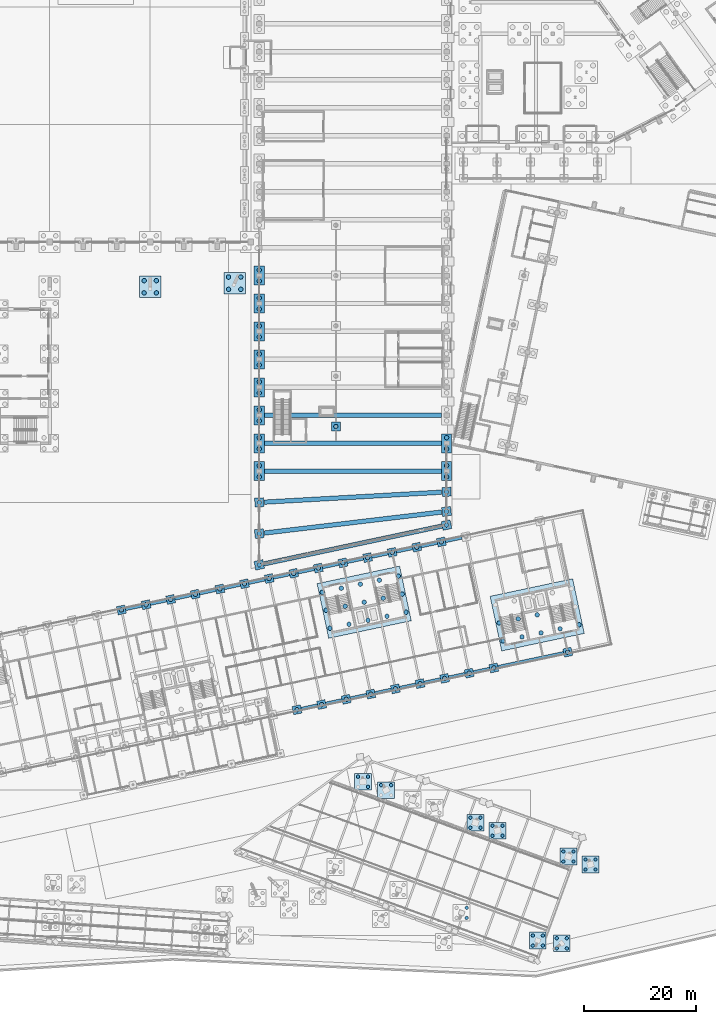
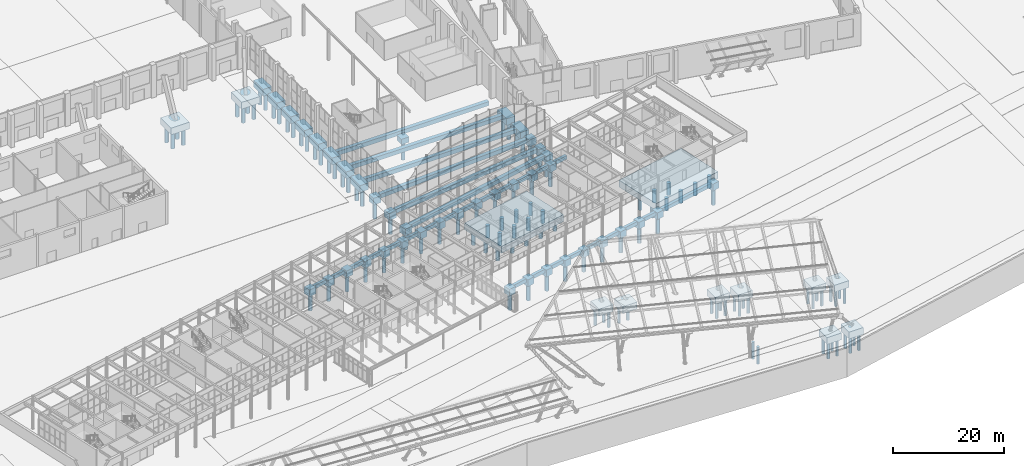
# One storey, part 4 of 239: 113 piles, 82 footings.
"""IFC4 building model written with IfcOpenShell, lengths in metres."""

from ifc_helpers import new_model, si_unit, direction, frame, origin, origin_2d, place, context, subcontext, project, spatial, rectangle, circle, extrude, material, material_profile, profile_set, type_object, element, save


model = new_model("IFC4")

# Units and contexts
model_context = context("Model", 3, precision=1e-05, world=origin(), true_north=direction((0.0, 1.0)))
body_context = subcontext(model_context, "Body", "Model", "MODEL_VIEW")
ifc_project = project(units=[si_unit("LENGTHUNIT", "METRE"), si_unit("AREAUNIT", "SQUARE_METRE"), si_unit("VOLUMEUNIT", "CUBIC_METRE"), si_unit("PLANEANGLEUNIT", "RADIAN"), si_unit("MASSUNIT", "GRAM", prefix="KILO")], contexts=[model_context])

# Site, building, storey
site_placement = place(None, origin())
site = spatial("IfcSite", under=ifc_project, at=site_placement, CompositionType="ELEMENT")
building_placement = place(site_placement, origin())
building = spatial("IfcBuilding", under=site, at=building_placement, Name="Okhra Congress Centre", CompositionType="ELEMENT")
storey_placement = place(building_placement, origin())
storey = spatial("IfcBuildingStorey", under=building, at=storey_placement, Name="L00", CompositionType="ELEMENT", Elevation=0.0)

# Piles
ifc_material_1 = material(Name="Concrete C30/37", Category="concrete")
ifc_material_profile_1 = material_profile(ifc_material_1, circle(Radius=0.300048828125, at=origin_2d()), Name="D600")
ifc_profile_set_1 = profile_set([ifc_material_profile_1], Name="Concrete C30/37")
pile_type_1 = type_object("IfcPileType", Name="Bored pile D600 C30/37", PredefinedType="BORED", material=ifc_profile_set_1)
for number, where, z_axis, x_axis, name in (
    (1, (192.593994140625, 11.1103515625, -1.800048828125), (0.0, 0.0, -1.0), (1.0, 0.0, 0.0), "ST.PILE.L00.shard-9-2"),
    (2, (192.593994140625, 12.910400390625, -1.800048828125), (0.0, 0.0, -1.0), (1.0, 0.0, 0.0), "ST.PILE.L00.shard-9-4"),
    (3, (204.419677734375, 6.151123046875, -1.800048828125), (0.0, 0.0, -1.0), (1.0, 0.0, 0.0), "ST.PILE.L00.shard-10-1"),
    (4, (206.219482421875, 6.151123046875, -1.800048828125), (0.0, 0.0, -1.0), (1.0, 0.0, 0.0), "ST.PILE.L00.shard-10-2"),
    (5, (204.419677734375, 7.950927734375, -1.800048828125), (0.0, 0.0, -1.0), (1.0, 0.0, 0.0), "ST.PILE.L00.shard-10-3"),
    (6, (206.219482421875, 7.950927734375, -1.800048828125), (0.0, 0.0, -1.0), (1.0, 0.0, 0.0), "ST.PILE.L00.shard-10-4"),
    (7, (208.708251953125, 5.654296875, -1.800048828125), (0.0, 0.0, -1.0), (1.0, 0.0, 0.0), "ST.PILE.L00.shard-11-1"),
    (8, (210.50830078125, 5.654296875, -1.800048828125), (0.0, 0.0, -1.0), (1.0, 0.0, 0.0), "ST.PILE.L00.shard-11-2"),
    (9, (208.708251953125, 7.454345703125, -1.800048828125), (0.0, 0.0, -1.0), (1.0, 0.0, 0.0), "ST.PILE.L00.shard-11-3"),
    (10, (210.50830078125, 7.454345703125, -1.800048828125), (0.0, 0.0, -1.0), (1.0, 0.0, 0.0), "ST.PILE.L00.shard-11-4"),
    (11, (174.949951171875, 34.55908203125, -1.800048828125), (0.0, 0.0, -1.0), (1.0, 0.0, 0.0), "ST.PILE.L00.shard-12-2"),
    (12, (173.14990234375, 36.359130859375, -1.800048828125), (0.0, 0.0, -1.0), (1.0, 0.0, 0.0), "ST.PILE.L00.shard-12-3"),
    (13, (174.949951171875, 36.359130859375, -1.800048828125), (0.0, 0.0, -1.0), (1.0, 0.0, 0.0), "ST.PILE.L00.shard-12-4"),
    (14, (177.28466796875, 34.854248046875, -1.800048828125), (0.0, 0.0, -1.0), (1.0, 0.0, 0.0), "ST.PILE.L00.shard-13-3"),
    (15, (179.08447265625, 34.854248046875, -1.800048828125), (0.0, 0.0, -1.0), (1.0, 0.0, 0.0), "ST.PILE.L00.shard-13-4"),
    (16, (193.25927734375, 27.239990234375, -1.800048828125), (0.0, 0.0, -1.0), (1.0, 0.0, 0.0), "ST.PILE.L00.shard-16-1"),
    (17, (195.059326171875, 27.239990234375, -1.800048828125), (0.0, 0.0, -1.0), (1.0, 0.0, 0.0), "ST.PILE.L00.shard-16-2"),
    (18, (193.25927734375, 29.039794921875, -1.800048828125), (0.0, 0.0, -1.0), (1.0, 0.0, 0.0), "ST.PILE.L00.shard-16-3"),
    (19, (195.059326171875, 29.039794921875, -1.800048828125), (0.0, 0.0, -1.0), (1.0, 0.0, 0.0), "ST.PILE.L00.shard-16-4"),
    (20, (197.2060546875, 25.803466796875, -1.800048828125), (0.0, 0.0, -1.0), (1.0, 0.0, 0.0), "ST.PILE.L00.shard-17-1"),
    (21, (199.006103515625, 25.803466796875, -1.800048828125), (0.0, 0.0, -1.0), (1.0, 0.0, 0.0), "ST.PILE.L00.shard-17-2"),
    (22, (197.2060546875, 27.603515625, -1.800048828125), (0.0, 0.0, -1.0), (1.0, 0.0, 0.0), "ST.PILE.L00.shard-17-3"),
    (23, (199.006103515625, 27.603515625, -1.800048828125), (0.0, 0.0, -1.0), (1.0, 0.0, 0.0), "ST.PILE.L00.shard-17-4"),
    (24, (209.891845703125, 21.18603515625, -1.800048828125), (0.0, 0.0, -1.0), (1.0, 0.0, 0.0), "ST.PILE.L00.shard-18-1"),
    (25, (211.69189453125, 21.18603515625, -1.800048828125), (0.0, 0.0, -1.0), (1.0, 0.0, 0.0), "ST.PILE.L00.shard-18-2"),
    (26, (209.891845703125, 22.986083984375, -1.800048828125), (0.0, 0.0, -1.0), (1.0, 0.0, 0.0), "ST.PILE.L00.shard-18-3"),
    (27, (211.69189453125, 22.986083984375, -1.800048828125), (0.0, 0.0, -1.0), (1.0, 0.0, 0.0), "ST.PILE.L00.shard-18-4"),
    (28, (213.838623046875, 19.749755859375, -1.800048828125), (0.0, 0.0, -1.0), (1.0, 0.0, 0.0), "ST.PILE.L00.shard-19-1"),
    (29, (215.638671875, 19.749755859375, -1.800048828125), (0.0, 0.0, -1.0), (1.0, 0.0, 0.0), "ST.PILE.L00.shard-19-2"),
    (30, (213.838623046875, 21.549560546875, -1.800048828125), (0.0, 0.0, -1.0), (1.0, 0.0, 0.0), "ST.PILE.L00.shard-19-3"),
    (31, (215.638671875, 21.549560546875, -1.800048828125), (0.0, 0.0, -1.0), (1.0, 0.0, 0.0), "ST.PILE.L00.shard-19-4"),
):
    element("IfcPile", number, at=place(storey_placement, frame(where, z_axis=z_axis, x_axis=x_axis)), inside=storey, type_object=pile_type_1, Name=name, PredefinedType="BORED", context=body_context, shape_type="SweptSolid", body=[
        extrude(circle(Radius=0.300048828125, at=origin_2d()), origin(), (0.0, 0.0, 1.0), 3.699951171875),
    ])
ifc_material_profile_2 = material_profile(ifc_material_1, circle(Radius=0.39990234375, at=origin_2d()), Name="D800")
ifc_profile_set_2 = profile_set([ifc_material_profile_2], Name="Concrete C30/37")
pile_type_2 = type_object("IfcPileType", Name="Bored pile D800", PredefinedType="BORED", material=ifc_profile_set_2)
for number, where, z_axis, x_axis, name in (
    (32, (134.89990234375, 122.883544921875, -1.800048828125), (0.0, 0.0, -1.0), (1.0, 0.0, 0.0), "EH.PILE.L00.BP7.1"),
    (33, (137.10009765625, 122.883544921875, -1.800048828125), (0.0, 0.0, -1.0), (1.0, 0.0, 0.0), "EH.PILE.L00.BP7.2"),
    (34, (134.89990234375, 125.08349609375, -1.800048828125), (0.0, 0.0, -1.0), (1.0, 0.0, 0.0), "EH.PILE.L00.BP7.3"),
    (35, (137.10009765625, 125.08349609375, -1.800048828125), (0.0, 0.0, -1.0), (1.0, 0.0, 0.0), "EH.PILE.L00.BP7.4"),
    (36, (150.0, 123.52783203125, -1.800048828125), (0.0, 0.0, -1.0), (1.0, 0.0, 0.0), "EH.PILE.L00.BP8.1"),
    (37, (152.199951171875, 123.52783203125, -1.800048828125), (0.0, 0.0, -1.0), (1.0, 0.0, 0.0), "EH.PILE.L00.BP8.2"),
    (38, (150.0, 125.727783203125, -1.800048828125), (0.0, 0.0, -1.0), (1.0, 0.0, 0.0), "EH.PILE.L00.BP8.3"),
    (39, (152.199951171875, 125.727783203125, -1.800048828125), (0.0, 0.0, -1.0), (1.0, 0.0, 0.0), "EH.PILE.L00.BP8.4"),
    (40, (130.849365234375, 66.18994140625, -1.800048828125), (0.0, 0.0, -1.0), (1.0, 0.0, 0.0), "Pile 14N"),
    (41, (135.2509765625, 67.125732421875, -1.800048828125), (0.0, 0.0, -1.0), (1.0, 0.0, 0.0), "Pile 15N"),
    (42, (139.65283203125, 68.061279296875, -1.800048828125), (0.0, 0.0, -1.0), (1.0, 0.0, 0.0), "Pile 16N"),
    (43, (144.054443359375, 68.996826171875, -1.800048828125), (0.0, 0.0, -1.0), (1.0, 0.0, 0.0), "Pile 17N"),
    (44, (148.4560546875, 69.932373046875, -1.800048828125), (0.0, 0.0, -1.0), (1.0, 0.0, 0.0), "Pile 18N"),
    (45, (152.857666015625, 70.867919921875, -1.800048828125), (0.0, 0.0, -1.0), (1.0, 0.0, 0.0), "Pile 19N"),
    (46, (162.249267578125, 48.328125, -1.800048828125), (0.0, 0.0, -1.0), (1.0, 0.0, 0.0), "Pile 20S"),
    (47, (157.25927734375, 71.8037109375, -1.800048828125), (0.0, 0.0, -1.0), (1.0, 0.0, 0.0), "Pile 20N"),
    (48, (166.65087890625, 49.263671875, -1.800048828125), (0.0, 0.0, -1.0), (1.0, 0.0, 0.0), "Pile 21S"),
    (49, (161.6611328125, 72.7392578125, -1.800048828125), (0.0, 0.0, -1.0), (1.0, 0.0, 0.0), "Pile 21N"),
    (50, (171.052490234375, 50.19921875, -1.800048828125), (0.0, 0.0, -1.0), (1.0, 0.0, 0.0), "Pile 22S"),
    (51, (166.062744140625, 73.6748046875, -1.800048828125), (0.0, 0.0, -1.0), (1.0, 0.0, 0.0), "Pile 22N"),
    (52, (175.454345703125, 51.135009765625, -1.800048828125), (0.0, 0.0, -1.0), (1.0, 0.0, 0.0), "Pile 23S"),
    (53, (170.46435546875, 74.6103515625, -1.800048828125), (0.0, 0.0, -1.0), (1.0, 0.0, 0.0), "Pile 23N"),
    (54, (179.85595703125, 52.070556640625, -1.800048828125), (0.0, 0.0, -1.0), (1.0, 0.0, 0.0), "Pile 24S"),
    (55, (174.865966796875, 75.546142578125, -1.800048828125), (0.0, 0.0, -1.0), (1.0, 0.0, 0.0), "Pile 24N"),
    (56, (184.257568359375, 53.006103515625, -1.800048828125), (0.0, 0.0, -1.0), (1.0, 0.0, 0.0), "Pile 25S"),
    (57, (179.267822265625, 76.481689453125, -1.800048828125), (0.0, 0.0, -1.0), (1.0, 0.0, 0.0), "Pile 25N"),
    (58, (188.6591796875, 53.941650390625, -1.800048828125), (0.0, 0.0, -1.0), (1.0, 0.0, 0.0), "Pile 26S"),
    (59, (183.66943359375, 77.417236328125, -1.800048828125), (0.0, 0.0, -1.0), (1.0, 0.0, 0.0), "Pile 26N"),
    (60, (193.06103515625, 54.877197265625, -1.800048828125), (0.0, 0.0, -1.0), (1.0, 0.0, 0.0), "Pile 27S"),
    (61, (188.071044921875, 78.352783203125, -1.800048828125), (0.0, 0.0, -1.0), (1.0, 0.0, 0.0), "Pile 27N"),
    (62, (197.462646484375, 55.81298828125, -1.800048828125), (0.0, 0.0, -1.0), (1.0, 0.0, 0.0), "Pile 28S"),
    (63, (210.66748046875, 58.61962890625, -1.800048828125), (0.0, 0.0, -1.0), (1.0, 0.0, 0.0), "Pile 29S"),
):
    element("IfcPile", number, at=place(storey_placement, frame(where, z_axis=z_axis, x_axis=x_axis)), inside=storey, type_object=pile_type_2, Name=name, PredefinedType="BORED", context=body_context, shape_type="SweptSolid", body=[
        extrude(circle(Radius=0.39990234375, at=origin_2d()), origin(), (0.0, 0.0, 1.0), 3.699951171875),
    ])
for number, where, z_axis, x_axis, name in (
    (64, (168.14892578125, 62.898193359375, -2.800048828125), (0.0, 0.0, -1.0), (1.0, 0.0, 0.0), "Core pile 4.1"),
    (65, (167.462890625, 66.1259765625, -2.800048828125), (0.0, 0.0, -1.0), (1.0, 0.0, 0.0), "Core pile 4.2"),
    (66, (166.776611328125, 69.353759765625, -2.800048828125), (0.0, 0.0, -1.0), (1.0, 0.0, 0.0), "Core pile 4.3"),
    (67, (171.548095703125, 63.62060546875, -2.800048828125), (0.0, 0.0, -1.0), (1.0, 0.0, 0.0), "Core pile 4.4"),
    (68, (170.86181640625, 66.848388671875, -2.800048828125), (0.0, 0.0, -1.0), (1.0, 0.0, 0.0), "Core pile 4.5"),
    (69, (170.17578125, 70.076416015625, -2.800048828125), (0.0, 0.0, -1.0), (1.0, 0.0, 0.0), "Core pile 4.6"),
    (70, (174.947021484375, 64.343017578125, -2.800048828125), (0.0, 0.0, -1.0), (1.0, 0.0, 0.0), "Core pile 4.7"),
    (71, (174.260986328125, 67.571044921875, -2.800048828125), (0.0, 0.0, -1.0), (1.0, 0.0, 0.0), "Core pile 4.8"),
    (72, (173.57470703125, 70.798828125, -2.800048828125), (0.0, 0.0, -1.0), (1.0, 0.0, 0.0), "Core pile 4.9"),
    (73, (178.34619140625, 65.065673828125, -2.800048828125), (0.0, 0.0, -1.0), (1.0, 0.0, 0.0), "Core pile 4.10"),
    (74, (177.659912109375, 68.29345703125, -2.800048828125), (0.0, 0.0, -1.0), (1.0, 0.0, 0.0), "Core pile 4.11"),
    (75, (176.973876953125, 71.521240234375, -2.800048828125), (0.0, 0.0, -1.0), (1.0, 0.0, 0.0), "Core pile 4.12"),
    (76, (181.7451171875, 65.7880859375, -2.800048828125), (0.0, 0.0, -1.0), (1.0, 0.0, 0.0), "Core pile 4.13"),
    (77, (181.05908203125, 69.015869140625, -2.800048828125), (0.0, 0.0, -1.0), (1.0, 0.0, 0.0), "Core pile 4.14"),
    (78, (180.373046875, 72.243896484375, -2.800048828125), (0.0, 0.0, -1.0), (1.0, 0.0, 0.0), "Core pile 4.15"),
    (79, (199.09619140625, 60.6328125, -2.800048828125), (0.0, 0.0, -1.0), (1.0, 0.0, 0.0), "Core pile 5.1"),
    (80, (198.41015625, 63.86083984375, -2.800048828125), (0.0, 0.0, -1.0), (1.0, 0.0, 0.0), "Core pile 5.2"),
    (81, (202.4951171875, 61.35546875, -2.800048828125), (0.0, 0.0, -1.0), (1.0, 0.0, 0.0), "Core pile 5.4"),
    (82, (201.80908203125, 64.583251953125, -2.800048828125), (0.0, 0.0, -1.0), (1.0, 0.0, 0.0), "Core pile 5.5"),
    (83, (205.894287109375, 62.077880859375, -2.800048828125), (0.0, 0.0, -1.0), (1.0, 0.0, 0.0), "Core pile 5.7"),
    (84, (205.208251953125, 65.3056640625, -2.800048828125), (0.0, 0.0, -1.0), (1.0, 0.0, 0.0), "Core pile 5.8"),
    (85, (209.29345703125, 62.80029296875, -2.800048828125), (0.0, 0.0, -1.0), (1.0, 0.0, 0.0), "Core pile 5.10"),
    (86, (212.6923828125, 63.52294921875, -2.800048828125), (0.0, 0.0, -1.0), (1.0, 0.0, 0.0), "Core pile 5.13"),
):
    element("IfcPile", number, at=place(storey_placement, frame(where, z_axis=z_axis, x_axis=x_axis)), inside=storey, type_object=pile_type_2, Name=name, PredefinedType="BORED", context=body_context, shape_type="SweptSolid", body=[
        extrude(circle(Radius=0.39990234375, at=origin_2d()), origin(), (0.0, 0.0, 1.0), 2.699951171875),
    ])
ifc_material_profile_3 = material_profile(ifc_material_1, circle(Radius=0.39990234375, at=origin_2d()), Name="D800")
ifc_profile_set_3 = profile_set([ifc_material_profile_3], Name="Concrete C30/37")
pile_type_3 = type_object("IfcPileType", Name="Bored pile D800 C30/37", PredefinedType="BORED", material=ifc_profile_set_3)
for number, where, z_axis, x_axis, name in (
    (87, (155.5, 74.2470703125, -1.800048828125), (0.0, 0.0, -1.0), (1.0, 0.0, 0.0), "WG.PILE.L00.W00-1"),
    (88, (189.0, 81.369140625, -1.800048828125), (0.0, 0.0, -1.0), (1.0, 0.0, 0.0), "WG.PILE.L00.E00-1"),
    (89, (155.5, 79.831298828125, -1.800048828125), (0.0, 0.0, -1.0), (1.0, 0.0, 0.0), "WG.PILE.L00.W01-1"),
    (90, (189.0, 83.800048828125, -1.800048828125), (0.0, 0.0, -1.0), (1.0, 0.0, 0.0), "WG.PILE.L00.E01-1"),
    (91, (155.5, 85.415771484375, -1.800048828125), (0.0, 0.0, -1.0), (1.0, 0.0, 0.0), "WG.PILE.L00.W02-1"),
    (92, (189.0, 87.300048828125, -1.800048828125), (0.0, 0.0, -1.0), (1.0, 0.0, 0.0), "WG.PILE.L00.E02-1"),
    (93, (155.5, 90.0, -1.800048828125), (0.0, 0.0, -1.0), (1.0, 0.0, 0.0), "WG.PILE.L00.W03-1"),
    (94, (155.5, 92.0, -1.800048828125), (0.0, 0.0, -1.0), (1.0, 0.0, 0.0), "WG.PILE.L00.W03-2"),
    (95, (189.0, 90.0, -1.800048828125), (0.0, 0.0, -1.0), (1.0, 0.0, 0.0), "WG.PILE.L00.E03-1"),
    (96, (189.0, 92.0, -1.800048828125), (0.0, 0.0, -1.0), (1.0, 0.0, 0.0), "WG.PILE.L00.E03-2"),
    (97, (155.5, 95.0, -1.800048828125), (0.0, 0.0, -1.0), (1.0, 0.0, 0.0), "WG.PILE.L00.W04-1"),
    (98, (155.5, 97.0, -1.800048828125), (0.0, 0.0, -1.0), (1.0, 0.0, 0.0), "WG.PILE.L00.W04-2"),
    (99, (189.0, 95.0, -1.800048828125), (0.0, 0.0, -1.0), (1.0, 0.0, 0.0), "WG.PILE.L00.E04-1"),
    (100, (189.0, 97.0, -1.800048828125), (0.0, 0.0, -1.0), (1.0, 0.0, 0.0), "WG.PILE.L00.E04-2"),
    (101, (155.5, 100.0, -1.800048828125), (0.0, 0.0, -1.0), (1.0, 0.0, 0.0), "WG.PILE.L00.W05-1"),
    (102, (155.5, 102.0, -1.800048828125), (0.0, 0.0, -1.0), (1.0, 0.0, 0.0), "WG.PILE.L00.W05-2"),
    (103, (155.5, 105.0, -1.800048828125), (0.0, 0.0, -1.0), (1.0, 0.0, 0.0), "WG.PILE.L00.W06-1"),
    (104, (155.5, 107.0, -1.800048828125), (0.0, 0.0, -1.0), (1.0, 0.0, 0.0), "WG.PILE.L00.W06-2"),
    (105, (155.5, 110.0, -1.800048828125), (0.0, 0.0, -1.0), (1.0, 0.0, 0.0), "WG.PILE.L00.W07-1"),
    (106, (155.5, 112.0, -1.800048828125), (0.0, 0.0, -1.0), (1.0, 0.0, 0.0), "WG.PILE.L00.W07-2"),
    (107, (155.5, 115.0, -1.800048828125), (0.0, 0.0, -1.0), (1.0, 0.0, 0.0), "WG.PILE.L00.W08-1"),
    (108, (155.5, 117.0, -1.800048828125), (0.0, 0.0, -1.0), (1.0, 0.0, 0.0), "WG.PILE.L00.W08-2"),
    (109, (155.5, 120.0, -1.800048828125), (0.0, 0.0, -1.0), (1.0, 0.0, 0.0), "WG.PILE.L00.W09-1"),
    (110, (155.5, 122.0, -1.800048828125), (0.0, 0.0, -1.0), (1.0, 0.0, 0.0), "WG.PILE.L00.W09-2"),
    (111, (155.5, 125.0, -1.800048828125), (0.0, 0.0, -1.0), (1.0, 0.0, 0.0), "WG.PILE.L00.W10-1"),
    (112, (155.5, 127.0, -1.800048828125), (0.0, 0.0, -1.0), (1.0, 0.0, 0.0), "WG.PILE.L00.W10-2"),
):
    element("IfcPile", number, at=place(storey_placement, frame(where, z_axis=z_axis, x_axis=x_axis)), inside=storey, type_object=pile_type_3, Name=name, PredefinedType="BORED", context=body_context, shape_type="SweptSolid", body=[
        extrude(circle(Radius=0.39990234375, at=origin_2d()), origin(), (0.0, 0.0, 1.0), 3.699951171875),
    ])
pile_placement = place(storey_placement, frame((169.199951171875, 99.0, -1.5), z_axis=(0.0, 0.0, -1.0), x_axis=(1.0, 0.0, 0.0)))
element("IfcPile", 113, at=pile_placement, inside=storey, type_object=pile_type_3, Name="WG.PILE.L00.gal-0", PredefinedType="BORED", context=body_context, shape_type="SweptSolid", body=[
    extrude(circle(Radius=0.39990234375, at=origin_2d()), origin(), (0.0, 0.0, 1.0), 4.0),
])

# Footings
ifc_material_2 = material(Name="Concrete C35/45", Category="concrete")
footing_type_1 = type_object("IfcFootingType", Name="Core raft cap 15100x10000x1500", PredefinedType="PILE_CAP", material=ifc_material_2)
for number, where, z_axis, x_axis, name in (
    (114, (174.260986328125, 67.571044921875, -2.89990234375), (0.0, 0.0, 1.0), (0.978147600734, 0.207911690818, 0.0), "Core raft cap 4"),
    (115, (205.208251953125, 65.3056640625, -2.89990234375), (0.0, 0.0, 1.0), (0.978147600734, 0.207911690818, 0.0), "Core raft cap 5"),
):
    element("IfcFooting", number, at=place(storey_placement, frame(where, z_axis=z_axis, x_axis=x_axis)), inside=storey, type_object=footing_type_1, Name=name, PredefinedType="PILE_CAP", context=body_context, shape_type="SweptSolid", body=[
        extrude(rectangle(XDim=15.10009765625, YDim=10.0, at=origin_2d()), origin(), (0.0, 0.0, 1.0), 1.5),
    ])
footing_type_2 = type_object("IfcFootingType", Name="Ground beam 600x800", PredefinedType="FOOTING_BEAM", material=ifc_material_2)
for number, where, z_axis, x_axis, name in (
    (116, (164.4501953125, 48.7958984375, -1.2001953125), (0.0, 0.0, 1.0), (0.978147600734, 0.207911690818, 0.0), "Ground beam S20"),
    (117, (168.851806640625, 49.7314453125, -1.2001953125), (0.0, 0.0, 1.0), (0.978147600734, 0.207911690818, 0.0), "Ground beam S21"),
    (118, (173.25341796875, 50.6669921875, -1.2001953125), (0.0, 0.0, 1.0), (0.978147600734, 0.207911690818, 0.0), "Ground beam S22"),
    (119, (177.655029296875, 51.602783203125, -1.2001953125), (0.0, 0.0, 1.0), (0.978147600734, 0.207911690818, 0.0), "Ground beam S23"),
    (120, (182.056640625, 52.538330078125, -1.2001953125), (0.0, 0.0, 1.0), (0.978147600734, 0.207911690818, 0.0), "Ground beam S24"),
    (121, (186.45849609375, 53.473876953125, -1.2001953125), (0.0, 0.0, 1.0), (0.978147600734, 0.207911690818, 0.0), "Ground beam S25"),
    (122, (190.860107421875, 54.409423828125, -1.2001953125), (0.0, 0.0, 1.0), (0.978147600734, 0.207911690818, 0.0), "Ground beam S26"),
    (123, (195.26171875, 55.34521484375, -1.2001953125), (0.0, 0.0, 1.0), (0.978147600734, 0.207911690818, 0.0), "Ground beam S27"),
):
    element("IfcFooting", number, at=place(storey_placement, frame(where, z_axis=z_axis, x_axis=x_axis)), inside=storey, type_object=footing_type_2, Name=name, PredefinedType="FOOTING_BEAM", context=body_context, shape_type="SweptSolid", body=[
        extrude(rectangle(XDim=3.0, YDim=0.60009765625, at=origin_2d()), origin(), (0.0, 0.0, 1.0), 0.800048828125),
    ])
footing_1_placement = place(storey_placement, frame((204.065185546875, 57.21630859375, -1.2001953125), z_axis=(0.0, 0.0, 1.0), x_axis=(0.978147600734, 0.207911690818, 0.0)))
element("IfcFooting", 124, at=footing_1_placement, inside=storey, type_object=footing_type_2, Name="Ground beam S28", PredefinedType="FOOTING_BEAM", context=body_context, shape_type="SweptSolid", body=[
    extrude(rectangle(XDim=12.0, YDim=0.60009765625, at=origin_2d()), origin(), (0.0, 0.0, 1.0), 0.800048828125),
])
for number, where, z_axis, x_axis, name in (
    (125, (133.05029296875, 66.65771484375, -1.2001953125), (0.0, 0.0, 1.0), (0.978147600734, 0.207911690818, 0.0), "Ground beam N14"),
    (126, (137.451904296875, 67.593505859375, -1.2001953125), (0.0, 0.0, 1.0), (0.978147600734, 0.207911690818, 0.0), "Ground beam N15"),
    (127, (141.853515625, 68.529052734375, -1.2001953125), (0.0, 0.0, 1.0), (0.978147600734, 0.207911690818, 0.0), "Ground beam N16"),
    (128, (146.255126953125, 69.464599609375, -1.2001953125), (0.0, 0.0, 1.0), (0.978147600734, 0.207911690818, 0.0), "Ground beam N17"),
    (129, (150.656982421875, 70.400146484375, -1.2001953125), (0.0, 0.0, 1.0), (0.978147600734, 0.207911690818, 0.0), "Ground beam N18"),
    (130, (155.05859375, 71.3359375, -1.2001953125), (0.0, 0.0, 1.0), (0.978147600734, 0.207911690818, 0.0), "Ground beam N19"),
    (131, (159.460205078125, 72.271484375, -1.2001953125), (0.0, 0.0, 1.0), (0.978147600734, 0.207911690818, 0.0), "Ground beam N20"),
    (132, (163.86181640625, 73.20703125, -1.2001953125), (0.0, 0.0, 1.0), (0.978147600734, 0.207911690818, 0.0), "Ground beam N21"),
    (133, (168.263427734375, 74.142578125, -1.2001953125), (0.0, 0.0, 1.0), (0.978147600734, 0.207911690818, 0.0), "Ground beam N22"),
    (134, (172.665283203125, 75.078369140625, -1.2001953125), (0.0, 0.0, 1.0), (0.978147600734, 0.207911690818, 0.0), "Ground beam N23"),
    (135, (177.06689453125, 76.013916015625, -1.2001953125), (0.0, 0.0, 1.0), (0.978147600734, 0.207911690818, 0.0), "Ground beam N24"),
    (136, (181.468505859375, 76.949462890625, -1.2001953125), (0.0, 0.0, 1.0), (0.978147600734, 0.207911690818, 0.0), "Ground beam N25"),
    (137, (185.8701171875, 77.885009765625, -1.2001953125), (0.0, 0.0, 1.0), (0.978147600734, 0.207911690818, 0.0), "Ground beam N26"),
    (138, (190.27197265625, 78.820556640625, -1.2001953125), (0.0, 0.0, 1.0), (0.978147600734, 0.207911690818, 0.0), "Ground beam N27"),
):
    element("IfcFooting", number, at=place(storey_placement, frame(where, z_axis=z_axis, x_axis=x_axis)), inside=storey, type_object=footing_type_2, Name=name, PredefinedType="FOOTING_BEAM", context=body_context, shape_type="SweptSolid", body=[
        extrude(rectangle(XDim=3.0, YDim=0.60009765625, at=origin_2d()), origin(), (0.0, 0.0, 1.0), 0.800048828125),
    ])
footing_type_3 = type_object("IfcFootingType", Name="Pile cap 1500x1500x1500", PredefinedType="PILE_CAP", material=ifc_material_2)
for number, where, z_axis, x_axis, name in (
    (139, (130.849365234375, 66.18994140625, -1.89990234375), (0.0, 0.0, 1.0), (0.978147600734, 0.207911690818, 0.0), "Pile cap 14N"),
    (140, (135.2509765625, 67.125732421875, -1.89990234375), (0.0, 0.0, 1.0), (0.978147600734, 0.207911690818, 0.0), "Pile cap 15N"),
    (141, (139.65283203125, 68.061279296875, -1.89990234375), (0.0, 0.0, 1.0), (0.978147600734, 0.207911690818, 0.0), "Pile cap 16N"),
    (142, (144.054443359375, 68.996826171875, -1.89990234375), (0.0, 0.0, 1.0), (0.978147600734, 0.207911690818, 0.0), "Pile cap 17N"),
    (143, (148.4560546875, 69.932373046875, -1.89990234375), (0.0, 0.0, 1.0), (0.978147600734, 0.207911690818, 0.0), "Pile cap 18N"),
    (144, (152.857666015625, 70.867919921875, -1.89990234375), (0.0, 0.0, 1.0), (0.978147600734, 0.207911690818, 0.0), "Pile cap 19N"),
    (145, (162.249267578125, 48.328125, -1.89990234375), (0.0, 0.0, 1.0), (0.978147600734, 0.207911690818, 0.0), "Pile cap 20S"),
    (146, (157.25927734375, 71.8037109375, -1.89990234375), (0.0, 0.0, 1.0), (0.978147600734, 0.207911690818, 0.0), "Pile cap 20N"),
    (147, (166.65087890625, 49.263671875, -1.89990234375), (0.0, 0.0, 1.0), (0.978147600734, 0.207911690818, 0.0), "Pile cap 21S"),
    (148, (161.6611328125, 72.7392578125, -1.89990234375), (0.0, 0.0, 1.0), (0.978147600734, 0.207911690818, 0.0), "Pile cap 21N"),
    (149, (171.052490234375, 50.19921875, -1.89990234375), (0.0, 0.0, 1.0), (0.978147600734, 0.207911690818, 0.0), "Pile cap 22S"),
    (150, (166.062744140625, 73.6748046875, -1.89990234375), (0.0, 0.0, 1.0), (0.978147600734, 0.207911690818, 0.0), "Pile cap 22N"),
    (151, (175.454345703125, 51.135009765625, -1.89990234375), (0.0, 0.0, 1.0), (0.978147600734, 0.207911690818, 0.0), "Pile cap 23S"),
    (152, (170.46435546875, 74.6103515625, -1.89990234375), (0.0, 0.0, 1.0), (0.978147600734, 0.207911690818, 0.0), "Pile cap 23N"),
    (153, (179.85595703125, 52.070556640625, -1.89990234375), (0.0, 0.0, 1.0), (0.978147600734, 0.207911690818, 0.0), "Pile cap 24S"),
    (154, (174.865966796875, 75.546142578125, -1.89990234375), (0.0, 0.0, 1.0), (0.978147600734, 0.207911690818, 0.0), "Pile cap 24N"),
    (155, (184.257568359375, 53.006103515625, -1.89990234375), (0.0, 0.0, 1.0), (0.978147600734, 0.207911690818, 0.0), "Pile cap 25S"),
    (156, (179.267822265625, 76.481689453125, -1.89990234375), (0.0, 0.0, 1.0), (0.978147600734, 0.207911690818, 0.0), "Pile cap 25N"),
    (157, (188.6591796875, 53.941650390625, -1.89990234375), (0.0, 0.0, 1.0), (0.978147600734, 0.207911690818, 0.0), "Pile cap 26S"),
    (158, (183.66943359375, 77.417236328125, -1.89990234375), (0.0, 0.0, 1.0), (0.978147600734, 0.207911690818, 0.0), "Pile cap 26N"),
    (159, (193.06103515625, 54.877197265625, -1.89990234375), (0.0, 0.0, 1.0), (0.978147600734, 0.207911690818, 0.0), "Pile cap 27S"),
    (160, (188.071044921875, 78.352783203125, -1.89990234375), (0.0, 0.0, 1.0), (0.978147600734, 0.207911690818, 0.0), "Pile cap 27N"),
    (161, (197.462646484375, 55.81298828125, -1.89990234375), (0.0, 0.0, 1.0), (0.978147600734, 0.207911690818, 0.0), "Pile cap 28S"),
    (162, (210.66748046875, 58.61962890625, -1.89990234375), (0.0, 0.0, 1.0), (0.978147600734, 0.207911690818, 0.0), "Pile cap 29S"),
):
    element("IfcFooting", number, at=place(storey_placement, frame(where, z_axis=z_axis, x_axis=x_axis)), inside=storey, type_object=footing_type_3, Name=name, PredefinedType="PILE_CAP", context=body_context, shape_type="SweptSolid", body=[
        extrude(rectangle(XDim=1.5, YDim=1.5, at=origin_2d()), origin(), (0.0, 0.0, 1.0), 1.5),
    ])
footing_type_4 = type_object("IfcFootingType", Name="Pile cap 1600x1600x1200 C30/37", PredefinedType="PILE_CAP", material=ifc_material_1)
footing_2_placement = place(storey_placement, frame((169.199951171875, 99.0, -1.60009765625), z_axis=(0.0, 0.0, 1.0), x_axis=(1.0, 0.0, 0.0)))
element("IfcFooting", 163, at=footing_2_placement, inside=storey, type_object=footing_type_4, Name="WG.FTG.L00.gal-cap-0", PredefinedType="PILE_CAP", context=body_context, shape_type="SweptSolid", body=[
    extrude(rectangle(XDim=1.60009765625, YDim=1.60009765625, at=origin_2d()), origin(), (0.0, 0.0, 1.0), 1.199951171875),
])
footing_type_5 = type_object("IfcFootingType", Name="Pile cap 1600x1600x1500 C30/37", PredefinedType="PILE_CAP", material=ifc_material_1)
for number, where, z_axis, x_axis, name in (
    (164, (155.5, 74.2470703125, -1.89990234375), (0.0, 0.0, 1.0), (0.978138959031, 0.207952342681, 0.0), "WG.FTG.L00.cap-W00"),
    (165, (189.0, 81.369140625, -1.89990234375), (0.0, 0.0, 1.0), (0.978138959031, 0.207952342681, 0.0), "WG.FTG.L00.cap-E00"),
    (166, (155.5, 79.831298828125, -1.89990234375), (0.0, 0.0, 1.0), (0.993055883015, 0.117643585497, 0.0), "WG.FTG.L00.cap-W01"),
    (167, (189.0, 83.800048828125, -1.89990234375), (0.0, 0.0, 1.0), (0.993055883015, 0.117643585497, 0.0), "WG.FTG.L00.cap-E01"),
    (168, (155.5, 85.415771484375, -1.89990234375), (0.0, 0.0, 1.0), (0.998421822851, 0.056159270431, 0.0), "WG.FTG.L00.cap-W02"),
    (169, (189.0, 87.300048828125, -1.89990234375), (0.0, 0.0, 1.0), (0.998421822851, 0.056159270431, 0.0), "WG.FTG.L00.cap-E02"),
):
    element("IfcFooting", number, at=place(storey_placement, frame(where, z_axis=z_axis, x_axis=x_axis)), inside=storey, type_object=footing_type_5, Name=name, PredefinedType="PILE_CAP", context=body_context, shape_type="SweptSolid", body=[
        extrude(rectangle(XDim=1.60009765625, YDim=1.60009765625, at=origin_2d()), origin(), (0.0, 0.0, 1.0), 1.5),
    ])
footing_type_6 = type_object("IfcFootingType", Name="Pile cap 1800x3400x1500 C30/37", PredefinedType="PILE_CAP", material=ifc_material_1)
for number, where, z_axis, x_axis, name in (
    (170, (155.5, 91.0, -1.89990234375), (0.0, 0.0, 1.0), (1.0, 0.0, 0.0), "WG.FTG.L00.cap-W03"),
    (171, (189.0, 91.0, -1.89990234375), (0.0, 0.0, 1.0), (1.0, 0.0, 0.0), "WG.FTG.L00.cap-E03"),
    (172, (155.5, 96.0, -1.89990234375), (0.0, 0.0, 1.0), (1.0, 0.0, 0.0), "WG.FTG.L00.cap-W04"),
    (173, (189.0, 96.0, -1.89990234375), (0.0, 0.0, 1.0), (1.0, 0.0, 0.0), "WG.FTG.L00.cap-E04"),
    (174, (155.5, 101.0, -1.89990234375), (0.0, 0.0, 1.0), (1.0, 0.0, 0.0), "WG.FTG.L00.cap-W05"),
    (175, (155.5, 106.0, -1.89990234375), (0.0, 0.0, 1.0), (1.0, 0.0, 0.0), "WG.FTG.L00.cap-W06"),
    (176, (155.5, 111.0, -1.89990234375), (0.0, 0.0, 1.0), (1.0, 0.0, 0.0), "WG.FTG.L00.cap-W07"),
    (177, (155.5, 116.0, -1.89990234375), (0.0, 0.0, 1.0), (1.0, 0.0, 0.0), "WG.FTG.L00.cap-W08"),
    (178, (155.5, 121.0, -1.89990234375), (0.0, 0.0, 1.0), (1.0, 0.0, 0.0), "WG.FTG.L00.cap-W09"),
    (179, (155.5, 126.0, -1.89990234375), (0.0, 0.0, 1.0), (1.0, 0.0, 0.0), "WG.FTG.L00.cap-W10"),
):
    element("IfcFooting", number, at=place(storey_placement, frame(where, z_axis=z_axis, x_axis=x_axis)), inside=storey, type_object=footing_type_6, Name=name, PredefinedType="PILE_CAP", context=body_context, shape_type="SweptSolid", body=[
        extrude(rectangle(XDim=1.800048828125, YDim=3.39990234375, at=origin_2d()), origin(), (0.0, 0.0, 1.0), 1.5),
    ])
footing_type_7 = type_object("IfcFootingType", Name="Pile cap 3000x3000x1500 C35/45", PredefinedType="PILE_CAP", material=ifc_material_2)
for number, where, z_axis, x_axis, name in (
    (180, (205.319580078125, 7.051025390625, -1.89990234375), (0.0, 0.0, 1.0), (1.0, 0.0, 0.0), "ST.FTG.L00.shard-cap-10"),
    (181, (209.6083984375, 6.55419921875, -1.89990234375), (0.0, 0.0, 1.0), (1.0, 0.0, 0.0), "ST.FTG.L00.shard-cap-11"),
    (182, (174.050048828125, 35.459228515625, -1.89990234375), (0.0, 0.0, 1.0), (1.0, 0.0, 0.0), "ST.FTG.L00.shard-cap-12"),
    (183, (178.1845703125, 33.954345703125, -1.89990234375), (0.0, 0.0, 1.0), (1.0, 0.0, 0.0), "ST.FTG.L00.shard-cap-13"),
    (184, (194.159423828125, 28.139892578125, -1.89990234375), (0.0, 0.0, 1.0), (1.0, 0.0, 0.0), "ST.FTG.L00.shard-cap-16"),
    (185, (198.10595703125, 26.703369140625, -1.89990234375), (0.0, 0.0, 1.0), (1.0, 0.0, 0.0), "ST.FTG.L00.shard-cap-17"),
    (186, (210.7919921875, 22.086181640625, -1.89990234375), (0.0, 0.0, 1.0), (1.0, 0.0, 0.0), "ST.FTG.L00.shard-cap-18"),
    (187, (214.738525390625, 20.649658203125, -1.89990234375), (0.0, 0.0, 1.0), (1.0, 0.0, 0.0), "ST.FTG.L00.shard-cap-19"),
):
    element("IfcFooting", number, at=place(storey_placement, frame(where, z_axis=z_axis, x_axis=x_axis)), inside=storey, type_object=footing_type_7, Name=name, PredefinedType="PILE_CAP", context=body_context, shape_type="SweptSolid", body=[
        extrude(rectangle(XDim=3.0, YDim=3.0, at=origin_2d()), origin(), (0.0, 0.0, 1.0), 1.5),
    ])
footing_type_8 = type_object("IfcFootingType", Name="Pile cap 3800x3800x1500 C30/37", PredefinedType="PILE_CAP", material=ifc_material_1)
for number, where, z_axis, x_axis, name in (
    (188, (136.0, 123.9833984375, -1.89990234375), (0.0, 0.0, 1.0), (1.0, 0.0, 0.0), "EH.FTG.L00.BP7"),
    (189, (151.10009765625, 124.627685546875, -1.89990234375), (0.0, 0.0, 1.0), (1.0, 0.0, 0.0), "EH.FTG.L00.BP8"),
):
    element("IfcFooting", number, at=place(storey_placement, frame(where, z_axis=z_axis, x_axis=x_axis)), inside=storey, type_object=footing_type_8, Name=name, PredefinedType="PILE_CAP", context=body_context, shape_type="SweptSolid", body=[
        extrude(rectangle(XDim=3.800048828125, YDim=3.800048828125, at=origin_2d()), origin(), (0.0, 0.0, 1.0), 1.5),
    ])
footing_type_9 = type_object("IfcFootingType", Name="RC tie beam 800x900 C30/37", PredefinedType="STRIP_FOOTING", material=ifc_material_1)
footing_3_placement = place(storey_placement, frame((172.25, 77.80810546875, -1.300048828125), z_axis=(0.0, 0.0, 1.0), x_axis=(0.978138959031, 0.207952342681, 0.0)))
element("IfcFooting", 190, at=footing_3_placement, inside=storey, type_object=footing_type_9, Name="WG.FTG.L00.tie-00", PredefinedType="STRIP_FOOTING", context=body_context, shape_type="SweptSolid", body=[
    extrude(rectangle(XDim=32.648681640625, YDim=0.800048828125, at=origin_2d()), origin(), (0.0, 0.0, 1.0), 0.89990234375),
])
footing_4_placement = place(storey_placement, frame((172.25, 81.815673828125, -1.300048828125), z_axis=(0.0, 0.0, 1.0), x_axis=(0.993055883015, 0.117643585497, 0.0)))
element("IfcFooting", 191, at=footing_4_placement, inside=storey, type_object=footing_type_9, Name="WG.FTG.L00.tie-01", PredefinedType="STRIP_FOOTING", context=body_context, shape_type="SweptSolid", body=[
    extrude(rectangle(XDim=31.934326171875, YDim=0.800048828125, at=origin_2d()), origin(), (0.0, 0.0, 1.0), 0.89990234375),
])
footing_5_placement = place(storey_placement, frame((172.25, 86.35791015625, -1.300048828125), z_axis=(0.0, 0.0, 1.0), x_axis=(0.998421822851, 0.056159270431, 0.0)))
element("IfcFooting", 192, at=footing_5_placement, inside=storey, type_object=footing_type_9, Name="WG.FTG.L00.tie-02", PredefinedType="STRIP_FOOTING", context=body_context, shape_type="SweptSolid", body=[
    extrude(rectangle(XDim=31.7529296875, YDim=0.800048828125, at=origin_2d()), origin(), (0.0, 0.0, 1.0), 0.89990234375),
])
for number, where, z_axis, x_axis, name in (
    (193, (172.25, 91.0, -1.300048828125), (0.0, 0.0, 1.0), (1.0, 0.0, 0.0), "WG.FTG.L00.tie-03"),
    (194, (172.25, 96.0, -1.300048828125), (0.0, 0.0, 1.0), (1.0, 0.0, 0.0), "WG.FTG.L00.tie-04"),
    (195, (172.25, 101.0, -1.300048828125), (0.0, 0.0, 1.0), (1.0, 0.0, 0.0), "WG.FTG.L00.tie-05"),
):
    element("IfcFooting", number, at=place(storey_placement, frame(where, z_axis=z_axis, x_axis=x_axis)), inside=storey, type_object=footing_type_9, Name=name, PredefinedType="STRIP_FOOTING", context=body_context, shape_type="SweptSolid", body=[
        extrude(rectangle(XDim=31.699951171875, YDim=0.800048828125, at=origin_2d()), origin(), (0.0, 0.0, 1.0), 0.89990234375),
    ])

save(model, "model.ifc")
